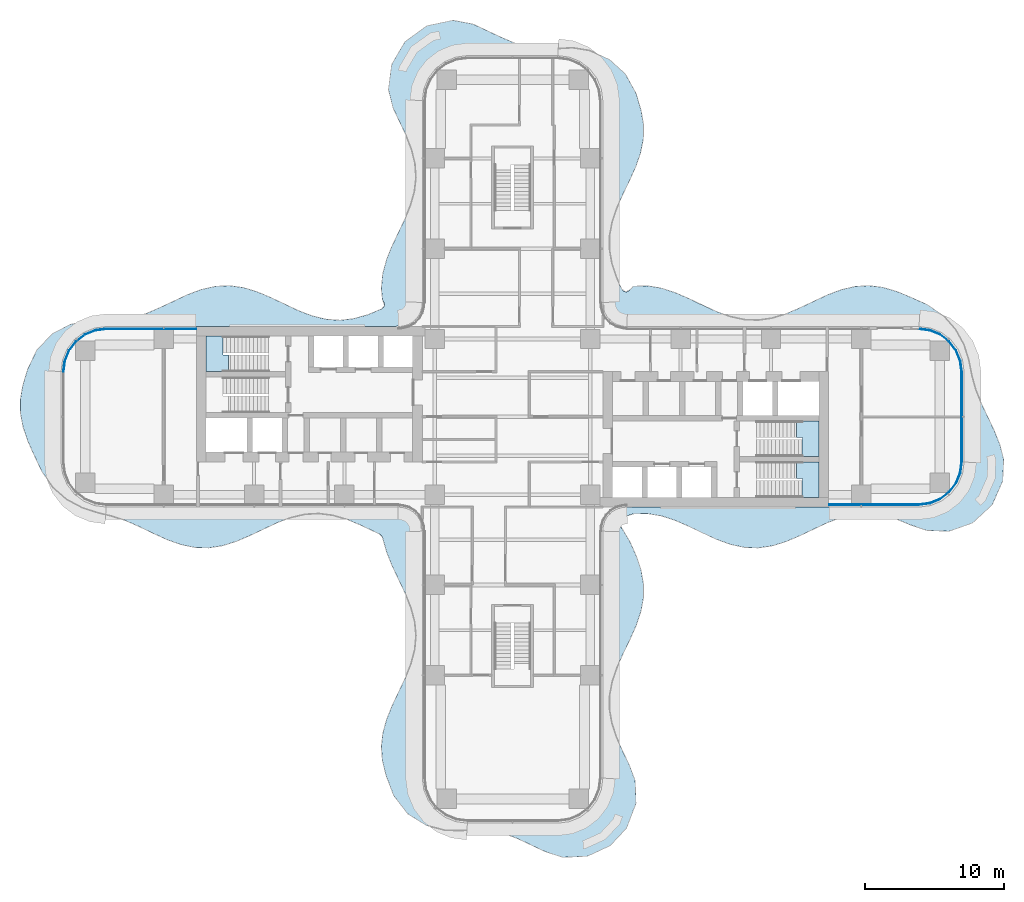
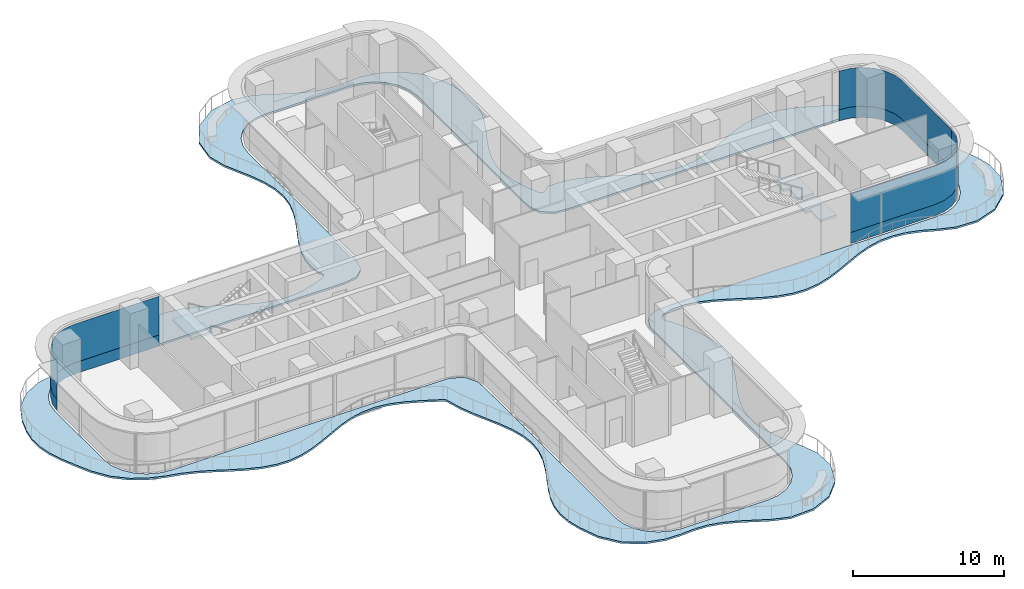
# One storey, part 15 of 22: 6 plates, 4 slabs, 6 elements without a shape of their own.
"""IFC4 building model written with IfcOpenShell, lengths in metres."""

from ifc_helpers import new_model, si_unit, direction, frame, origin, place, context, subcontext, project, spatial, polyline, outline, extrude, source, transform, mapped, material, layer, layer_set, type_object, element, aggregate, save


model = new_model("IFC4")

# Units and contexts
model_context = context("Model", 3, precision=1e-05, world=origin(), true_north=direction((0.0, 1.0)))
body_context = subcontext(model_context, "Body", "Model", "MODEL_VIEW")
ifc_project = project(units=[si_unit("LENGTHUNIT", "METRE"), si_unit("AREAUNIT", "SQUARE_METRE"), si_unit("VOLUMEUNIT", "CUBIC_METRE"), si_unit("PLANEANGLEUNIT", "RADIAN"), si_unit("MASSUNIT", "GRAM", prefix="KILO")], contexts=[model_context])

# Site, building, storey
site_placement = place(None, origin())
site = spatial("IfcSite", under=ifc_project, at=site_placement, CompositionType="ELEMENT")
building_placement = place(site_placement, origin())
building = spatial("IfcBuilding", under=site, at=building_placement, Name="Trellis Farm Tower", CompositionType="ELEMENT")
storey_placement = place(building_placement, frame((0.0, 0.0, 88.0)))
storey = spatial("IfcBuildingStorey", under=building, at=storey_placement, Name="L18", CompositionType="ELEMENT", Elevation=88.0)

# Slab
ifc_material_1 = material(Name="Concrete C40/50", Category="concrete")
ifc_layer_1 = layer(ifc_material_1, 0.14990234375)
ifc_layer_set_1 = layer_set([ifc_layer_1], Name="Balcony slab 150")
slab_type_1 = type_object("IfcSlabType", Name="Balcony slab 150", PredefinedType="FLOOR", material=ifc_layer_set_1)
slab_1_placement = place(storey_placement, frame((0.0, 0.0, -0.14990234375)))
element("IfcSlab", 1, at=slab_1_placement, inside=storey, type_object=slab_type_1, Name="Balcony slab", PredefinedType="FLOOR", context=body_context, shape_type="SweptSolid", body=[
    extrude(outline(polyline([(-9.212158203125, 8.05517578125), (-9.224365234375, 8.185791015625), (-9.236083984375, 8.2197265625), (-9.343017578125, 8.381103515625), (-9.366943359375, 8.44873046875), (-9.44677734375, 9.243896484375), (-9.447021484375, 9.27294921875), (-9.3515625, 10.27392578125), (-9.346923828125, 10.298583984375), (-9.08544921875, 11.2705078125), (-9.079833984375, 11.287353515625), (-8.69189453125, 12.25732421875), (-8.688232421875, 12.265869140625), (-7.748779296875, 14.249755859375), (-7.747314453125, 14.253662109375), (-7.346923828125, 15.235107421875), (-7.34423828125, 15.2431640625), (-7.069091796875, 16.221435546875), (-7.066650390625, 16.233154296875), (-6.955078125, 17.212646484375), (-6.954833984375, 17.226318359375), (-7.0244140625, 18.212890625), (-7.0263671875, 18.225341796875), (-7.270751953125, 19.22021484375), (-7.273681640625, 19.229248046875), (-7.668212890625, 20.2509765625), (-7.67041015625, 20.256103515625), (-8.59375, 22.2080078125), (-8.603515625, 22.2353515625), (-8.927734375, 23.513671875), (-8.931884765625, 23.541748046875), (-8.93408203125, 23.577880859375), (-8.93310546875, 23.605712890625), (-8.716064453125, 25.29833984375), (-8.709228515625, 25.32763671875), (-8.69677734375, 25.364501953125), (-8.68408203125, 25.391845703125), (-7.759521484375, 26.970703125), (-7.74072265625, 26.995849609375), (-7.713623046875, 27.025634765625), (-7.690185546875, 27.04638671875), (-6.196533203125, 28.1181640625), (-6.169677734375, 28.133544921875), (-6.133056640625, 28.149658203125), (-6.103515625, 28.1591796875), (-4.337158203125, 28.53173828125), (-4.30810546875, 28.534912109375), (-4.270751953125, 28.535400390625), (-4.2412109375, 28.532958984375), (-2.8701171875, 28.2763671875), (-2.833740234375, 28.2646484375), (-0.885498046875, 27.345703125), (-0.8828125, 27.344482421875), (0.099609375, 26.92431640625), (0.107177734375, 26.921630859375), (1.137939453125, 26.60400390625), (1.1494140625, 26.601318359375), (2.139404296875, 26.460693359375), (2.152587890625, 26.4599609375), (3.1220703125, 26.49462890625), (3.1240234375, 26.494873046875), (4.28955078125, 26.56689453125), (4.322998046875, 26.565185546875), (5.555908203125, 26.364990234375), (5.594970703125, 26.352783203125), (6.945556640625, 25.727294921875), (6.982421875, 25.702880859375), (8.089599609375, 24.713623046875), (8.12109375, 24.67431640625), (8.891357421875, 23.277587890625), (8.904052734375, 23.2470703125), (9.262451171875, 22.015625), (9.266357421875, 21.99853515625), (9.42919921875, 21.029541015625), (9.431396484375, 21.002197265625), (9.414794921875, 20.00146484375), (9.411865234375, 19.974609375), (9.21826171875, 19.0048828125), (9.212890625, 18.984619140625), (8.870849609375, 18.00830078125), (8.8662109375, 17.996337890625), (8.423583984375, 17.01171875), (8.421875, 17.008056640625), (7.940673828125, 16.010986328125), (7.939697265625, 16.0087890625), (7.49560546875, 15.006103515625), (7.4931640625, 15.0), (7.169921875, 14.050048828125), (7.167236328125, 14.039794921875), (6.982177734375, 13.0615234375), (6.980712890625, 13.04833984375), (6.971923828125, 12.0654296875), (6.972900390625, 12.052001953125), (7.14501953125, 11.060546875), (7.147705078125, 11.0498046875), (7.490478515625, 10.021484375), (7.492919921875, 10.014892578125), (7.851318359375, 9.203857421875), (7.862060546875, 9.186279296875), (7.965087890625, 9.0625), (7.998779296875, 9.039794921875), (8.1416015625, 8.99267578125), (8.181884765625, 8.990966796875), (8.328125, 9.026611328125), (8.36328125, 9.04638671875), (8.48046875, 9.166015625), (8.48583984375, 9.17236328125), (8.630859375, 9.357421875), (8.683837890625, 9.39990234375), (8.684326171875, 9.400146484375), (8.746337890625, 9.4150390625), (9.675537109375, 9.43408203125), (9.702392578125, 9.43212890625), (10.646240234375, 9.280517578125), (10.668212890625, 9.275390625), (11.668212890625, 8.955810546875), (11.68212890625, 8.950439453125), (12.664794921875, 8.524658203125), (12.67041015625, 8.522216796875), (13.663818359375, 8.043701171875), (13.665283203125, 8.04296875), (14.668701171875, 7.583984375), (14.67431640625, 7.581787109375), (15.673583984375, 7.2177734375), (15.68359375, 7.215087890625), (16.677001953125, 7.0), (16.68994140625, 6.998291015625), (17.6748046875, 6.96142578125), (17.6884765625, 6.962158203125), (18.667236328125, 7.10498046875), (18.678466796875, 7.107421875), (19.656982421875, 7.408447265625), (19.664306640625, 7.4111328125), (20.646728515625, 7.828125), (20.6494140625, 7.829345703125), (22.635498046875, 8.766357421875), (22.646240234375, 8.77099609375), (23.6337890625, 9.14501953125), (23.65234375, 9.150634765625), (24.63134765625, 9.38232421875), (24.656982421875, 9.38623046875), (25.62841796875, 9.44482421875), (25.65576171875, 9.44384765625), (26.624755859375, 9.3232421875), (26.64794921875, 9.318359375), (27.62109375, 9.035400390625), (27.63671875, 9.030029296875), (28.617431640625, 8.623779296875), (28.620849609375, 8.622314453125), (29.800048828125, 8.09814453125), (29.8232421875, 8.085205078125), (31.015380859375, 7.277099609375), (31.044189453125, 7.251708984375), (31.886474609375, 6.290771484375), (31.9052734375, 6.263916015625), (32.4833984375, 5.20751953125), (32.49462890625, 5.1806640625), (32.838134765625, 4.0947265625), (32.84228515625, 4.078369140625), (33.0556640625, 2.986083984375), (33.056884765625, 2.980712890625), (33.331787109375, 1.97900390625), (33.334716796875, 1.970947265625), (33.731201171875, 0.98974609375), (33.73291015625, 0.985595703125), (34.668212890625, -0.98828125), (34.671875, -0.99658203125), (35.07373046875, -1.99560546875), (35.079833984375, -2.013916015625), (35.340576171875, -3.021484375), (35.34521484375, -3.064697265625), (35.288330078125, -4.55908203125), (35.284423828125, -4.58740234375), (35.276123046875, -4.623291015625), (35.26708984375, -4.650146484375), (34.52099609375, -6.33251953125), (34.505126953125, -6.359619140625), (34.4814453125, -6.392333984375), (34.46044921875, -6.415771484375), (33.12548828125, -7.619873046875), (33.101806640625, -7.637451171875), (33.06884765625, -7.656982421875), (33.0419921875, -7.66943359375), (31.458740234375, -8.228515625), (31.431396484375, -8.235107421875), (31.39599609375, -8.24072265625), (31.3671875, -8.2421875), (29.837158203125, -8.181884765625), (29.794921875, -8.17431640625), (28.627197265625, -7.779541015625), (28.6181640625, -7.776123046875), (27.60546875, -7.359375), (27.597412109375, -7.356689453125), (26.600830078125, -7.072509765625), (26.58935546875, -7.0703125), (25.664794921875, -6.957275390625), (25.651611328125, -6.956787109375), (24.66552734375, -7.01318359375), (24.65283203125, -7.01513671875), (23.65869140625, -7.247802734375), (23.649169921875, -7.250732421875), (22.6494140625, -7.627685546875), (22.643798828125, -7.630126953125), (20.647216796875, -8.57177734375), (20.6416015625, -8.57421875), (19.659423828125, -8.990966796875), (19.644775390625, -8.996337890625), (18.6708984375, -9.294921875), (18.648193359375, -9.2998046875), (17.67919921875, -9.439208984375), (17.65185546875, -9.4404296875), (16.68115234375, -9.401123046875), (16.655029296875, -9.39794921875), (15.677001953125, -9.18359375), (15.657470703125, -9.177978515625), (14.67041015625, -8.81689453125), (14.65966796875, -8.8125), (13.664306640625, -8.356689453125), (13.66162109375, -8.35546875), (12.672119140625, -7.87890625), (12.66943359375, -7.87744140625), (11.6865234375, -7.451416015625), (11.6796875, -7.44873046875), (10.700927734375, -7.133056640625), (10.690185546875, -7.130615234375), (9.711669921875, -6.969482421875), (9.6982421875, -6.968505859375), (8.734619140625, -6.985107421875), (8.72314453125, -6.986328125), (8.632080078125, -7.002197265625), (8.62109375, -7.0048828125), (8.05419921875, -7.193603515625), (8.039306640625, -7.2001953125), (7.9296875, -7.26611328125), (7.906494140625, -7.2880859375), (7.835205078125, -7.39404296875), (7.82763671875, -7.40869140625), (7.757568359375, -7.588623046875), (7.7529296875, -7.606201171875), (7.73486328125, -7.745361328125), (7.73876953125, -7.780517578125), (7.78759765625, -7.912353515625), (7.795654296875, -7.928466796875), (7.9951171875, -8.22265625), (8.0, -8.230712890625), (8.465087890625, -9.01953125), (8.472900390625, -9.034912109375), (8.908935546875, -10.01904296875), (8.9140625, -10.031982421875), (9.24169921875, -11.007080078125), (9.247314453125, -11.02880859375), (9.42578125, -12.029296875), (9.427978515625, -12.056396484375), (9.422119140625, -13.02587890625), (9.419677734375, -13.052734375), (9.23779296875, -14.0224609375), (9.232421875, -14.043212890625), (8.899658203125, -15.018798828125), (8.894775390625, -15.031494140625), (8.459716796875, -16.010498046875), (8.457763671875, -16.0146484375), (7.974853515625, -17.015380859375), (7.973876953125, -17.017333984375), (7.5244140625, -18.0205078125), (7.522216796875, -18.026611328125), (7.176513671875, -19.025390625), (7.173828125, -19.03564453125), (6.983154296875, -20.028076171875), (6.98193359375, -20.041259765625), (6.97119140625, -21.02490234375), (6.97216796875, -21.03857421875), (7.139404296875, -22.016845703125), (7.14208984375, -22.027587890625), (7.46240234375, -23.006591796875), (7.465087890625, -23.01318359375), (7.89404296875, -23.99609375), (7.895263671875, -23.99853515625), (8.372314453125, -24.989013671875), (8.376953125, -25.0), (8.815185546875, -26.13671875), (8.8251953125, -26.1845703125), (8.888427734375, -27.761962890625), (8.886474609375, -27.792236328125), (8.880126953125, -27.830810546875), (8.872314453125, -27.85986328125), (8.2275390625, -29.5546875), (8.214599609375, -29.580810546875), (8.1943359375, -29.61279296875), (8.176513671875, -29.635986328125), (7.030029296875, -30.8583984375), (7.008056640625, -30.877685546875), (6.977294921875, -30.89990234375), (6.951904296875, -30.91455078125), (5.4169921875, -31.6123046875), (5.3896484375, -31.62158203125), (5.353515625, -31.630126953125), (5.324951171875, -31.634033203125), (3.64111328125, -31.706298828125), (3.6142578125, -31.704833984375), (3.57958984375, -31.7001953125), (3.55322265625, -31.694091796875), (2.37109375, -31.30615234375), (2.35400390625, -31.29931640625), (0.393310546875, -30.374755859375), (0.387451171875, -30.372314453125), (-0.635986328125, -29.989501953125), (-0.645263671875, -29.98681640625), (-1.57958984375, -29.768310546875), (-1.592041015625, -29.7666015625), (-2.585205078125, -29.705078125), (-2.594970703125, -29.705078125), (-3.683837890625, -29.779296875), (-3.697265625, -29.77978515625), (-4.857421875, -29.7548828125), (-4.89208984375, -29.750244140625), (-6.1826171875, -29.41455078125), (-6.2236328125, -29.39697265625), (-7.514892578125, -28.5966796875), (-7.537109375, -28.580078125), (-7.5625, -28.556640625), (-7.580810546875, -28.53662109375), (-8.55810546875, -27.252685546875), (-8.5791015625, -27.214599609375), (-9.115966796875, -25.7900390625), (-9.12109375, -25.772705078125), (-9.37109375, -24.74658203125), (-9.375, -24.72216796875), (-9.446533203125, -23.74951171875), (-9.44580078125, -23.7216796875), (-9.337890625, -22.753173828125), (-9.333251953125, -22.729248046875), (-9.060791015625, -21.756591796875), (-9.05517578125, -21.740478515625), (-8.65576171875, -20.760009765625), (-8.65234375, -20.75244140625), (-7.71728515625, -18.7783203125), (-7.71533203125, -18.774169921875), (-7.322509765625, -17.79296875), (-7.319580078125, -17.784423828125), (-7.044921875, -16.749755859375), (-7.04248046875, -16.7373046875), (-6.95361328125, -15.75), (-6.95361328125, -15.736083984375), (-7.04638671875, -14.756103515625), (-7.048583984375, -14.744140625), (-7.3076171875, -13.76611328125), (-7.310302734375, -13.757568359375), (-7.69970703125, -12.776611328125), (-7.701416015625, -12.772216796875), (-8.636474609375, -10.798095703125), (-8.6396484375, -10.791015625), (-9.042724609375, -9.81005859375), (-9.048095703125, -9.794189453125), (-9.366455078125, -8.680419921875), (-9.37255859375, -8.66552734375), (-9.431396484375, -8.55615234375), (-9.451904296875, -8.532470703125), (-9.55078125, -8.45703125), (-9.564208984375, -8.448974609375), (-10.90087890625, -7.813232421875), (-10.904052734375, -7.811767578125), (-11.921142578125, -7.385498046875), (-11.928955078125, -7.382568359375), (-12.92578125, -7.087890625), (-12.9375, -7.085205078125), (-13.926513671875, -6.95751953125), (-13.9404296875, -6.95703125), (-14.92138671875, -7.011474609375), (-14.93408203125, -7.01318359375), (-15.912109375, -7.239013671875), (-15.92138671875, -7.24169921875), (-16.9013671875, -7.607177734375), (-16.9072265625, -7.609619140625), (-18.880859375, -8.538818359375), (-18.885498046875, -8.541015625), (-19.868408203125, -8.964111328125), (-19.882568359375, -8.969482421875), (-20.8828125, -9.283935546875), (-20.90478515625, -9.289306640625), (-21.848388671875, -9.434814453125), (-21.875244140625, -9.436279296875), (-22.845703125, -9.41015625), (-22.872314453125, -9.406982421875), (-23.872802734375, -9.197998046875), (-23.892578125, -9.1923828125), (-24.869384765625, -8.841552734375), (-24.880615234375, -8.8369140625), (-25.865966796875, -8.389404296875), (-25.868896484375, -8.387939453125), (-26.8671875, -7.90673828125), (-26.86962890625, -7.905517578125), (-27.84130859375, -7.47900390625), (-27.847900390625, -7.476318359375), (-28.840087890625, -7.146728515625), (-28.84619140625, -7.14501953125), (-29.921875, -6.88330078125), (-29.93359375, -6.880126953125), (-30.982177734375, -6.533935546875), (-31.00537109375, -6.524169921875), (-32.064453125, -5.964111328125), (-32.09228515625, -5.945068359375), (-33.05908203125, -5.110595703125), (-33.084228515625, -5.08251953125), (-33.880859375, -3.931884765625), (-33.893310546875, -3.910400390625), (-34.439208984375, -2.754638671875), (-34.440673828125, -2.751708984375), (-34.885986328125, -1.75341796875), (-34.89111328125, -1.74072265625), (-35.22900390625, -0.75537109375), (-35.234619140625, -0.734619140625), (-35.4189453125, 0.2421875), (-35.421630859375, 0.268798828125), (-35.428466796875, 1.23876953125), (-35.42626953125, 1.265625), (-35.25732421875, 2.23486328125), (-35.253662109375, 2.251220703125), (-34.921875, 3.380615234375), (-34.913330078125, 3.403076171875), (-34.25341796875, 4.787109375), (-34.2265625, 4.826171875), (-33.139404296875, 5.96484375), (-33.10009765625, 5.994384765625), (-31.84912109375, 6.642822265625), (-31.8134765625, 6.656005859375), (-30.60107421875, 6.931884765625), (-30.572509765625, 6.935546875), (-29.42578125, 6.97216796875), (-29.41943359375, 6.97216796875), (-28.412353515625, 6.961181640625), (-28.400146484375, 6.9619140625), (-27.360595703125, 7.121826171875), (-27.349365234375, 7.12451171875), (-26.370849609375, 7.435302734375), (-26.36376953125, 7.437744140625), (-25.380859375, 7.861083984375), (-25.378662109375, 7.862060546875), (-23.391845703125, 8.796875), (-23.380126953125, 8.802001953125), (-22.393310546875, 9.1669921875), (-22.374267578125, 9.172607421875), (-21.395751953125, 9.39306640625), (-21.369873046875, 9.396484375), (-20.39892578125, 9.442138671875), (-20.37158203125, 9.44091796875), (-19.402587890625, 9.307861328125), (-19.379638671875, 9.302978515625), (-18.406005859375, 9.009521484375), (-18.39111328125, 9.004150390625), (-17.4091796875, 8.590576171875), (-17.4033203125, 8.587890625), (-15.429443359375, 7.655029296875), (-15.42431640625, 7.65283203125), (-14.444091796875, 7.275390625), (-14.434814453125, 7.2724609375), (-13.3984375, 7.0205078125), (-13.385498046875, 7.018798828125), (-12.3994140625, 6.95556640625), (-12.385986328125, 6.9560546875), (-11.4619140625, 7.06298828125), (-11.4501953125, 7.065185546875), (-10.416748046875, 7.356689453125), (-10.408447265625, 7.359619140625), (-9.414306640625, 7.77001953125), (-9.395263671875, 7.781494140625), (-9.288818359375, 7.8701171875), (-9.267822265625, 7.898681640625), (-9.217529296875, 8.02001953125), (-9.212158203125, 8.05517578125)]), holes=[polyline([(-7.872314453125, -6.550048828125), (-7.106689453125, -6.919921875), (-7.0693359375, -6.94580078125), (-7.0283203125, -6.984130859375), (-7.00048828125, -7.019775390625), (-6.58544921875, -7.75439453125), (-6.572265625, -7.785888671875), (-6.559814453125, -7.827880859375), (-6.55419921875, -7.861572265625), (-6.50048828125, -8.790771484375), (-6.50048828125, -26.0), (-6.389892578125, -26.84130859375), (-6.065185546875, -27.625244140625), (-5.548583984375, -28.298583984375), (-4.875244140625, -28.815185546875), (-4.09130859375, -29.139892578125), (-3.25, -29.25048828125), (3.25, -29.25048828125), (4.09130859375, -29.139892578125), (4.875244140625, -28.815185546875), (5.548583984375, -28.298583984375), (6.065185546875, -27.625244140625), (6.389892578125, -26.84130859375), (6.50048828125, -26.0), (6.50048828125, -8.989501953125), (6.511962890625, -8.083984375), (6.514892578125, -8.057373046875), (6.521484375, -8.023193359375), (6.52880859375, -7.997314453125), (6.840087890625, -7.19580078125), (6.863525390625, -7.155517578125), (6.899658203125, -7.111083984375), (6.934326171875, -7.079833984375), (7.63720703125, -6.621826171875), (7.670166015625, -6.605712890625), (7.714111328125, -6.590576171875), (7.749755859375, -6.5830078125), (8.677490234375, -6.50048828125), (29.25, -6.50048828125), (30.09130859375, -6.389892578125), (30.875244140625, -6.065185546875), (31.548583984375, -5.548583984375), (32.065185546875, -4.875244140625), (32.389892578125, -4.09130859375), (32.50048828125, -3.25), (32.50048828125, 3.25), (32.389892578125, 4.09130859375), (32.065185546875, 4.875244140625), (31.548583984375, 5.548583984375), (30.875244140625, 6.065185546875), (30.09130859375, 6.389892578125), (29.25, 6.50048828125), (8.677490234375, 6.50048828125), (7.749755859375, 6.5830078125), (7.714111328125, 6.590576171875), (7.670166015625, 6.605712890625), (7.63720703125, 6.621826171875), (6.934326171875, 7.079833984375), (6.899658203125, 7.111083984375), (6.863525390625, 7.155517578125), (6.840087890625, 7.19580078125), (6.52880859375, 7.997314453125), (6.521484375, 8.023193359375), (6.514892578125, 8.057373046875), (6.511962890625, 8.083984375), (6.50048828125, 8.989501953125), (6.50048828125, 22.75), (6.389892578125, 23.59130859375), (6.065185546875, 24.375244140625), (5.548583984375, 25.048583984375), (4.875244140625, 25.565185546875), (4.09130859375, 25.889892578125), (3.25, 26.00048828125), (-3.25, 26.00048828125), (-4.09130859375, 25.889892578125), (-4.875244140625, 25.565185546875), (-5.548583984375, 25.048583984375), (-6.065185546875, 24.375244140625), (-6.389892578125, 23.59130859375), (-6.50048828125, 22.75), (-6.50048828125, 8.313720703125), (-6.50439453125, 8.282470703125), (-6.724365234375, 7.396484375), (-6.7412109375, 7.355712890625), (-6.768798828125, 7.309814453125), (-6.7958984375, 7.276123046875), (-7.408935546875, 6.71240234375), (-7.444580078125, 6.68798828125), (-7.492919921875, 6.66455078125), (-7.534423828125, 6.651123046875), (-8.439208984375, 6.501953125), (-8.456298828125, 6.50048828125), (-29.25, 6.50048828125), (-30.09130859375, 6.389892578125), (-30.875244140625, 6.065185546875), (-31.548583984375, 5.548583984375), (-32.065185546875, 4.875244140625), (-32.389892578125, 4.09130859375), (-32.50048828125, 3.25), (-32.50048828125, -3.25), (-32.389892578125, -4.09130859375), (-32.065185546875, -4.875244140625), (-31.548583984375, -5.548583984375), (-30.875244140625, -6.065185546875), (-30.09130859375, -6.389892578125), (-29.25, -6.50048828125), (-8.89599609375, -6.50048828125), (-7.973388671875, -6.525390625), (-7.94189453125, -6.52978515625), (-7.90234375, -6.539306640625), (-7.872314453125, -6.550048828125)])]), origin(), (0.0, 0.0, 1.0), 0.14990234375),
])

# Curtain wall, plate
ifc_material_2 = material(Name="Aluminium and glass curtain wall", Category="aluminium")
ifc_layer_2 = layer(ifc_material_2, 0.18994140625)
ifc_layer_set_2 = layer_set([ifc_layer_2], Name="RIBBON CURTAIN WALL CW1")
curtain_wall_type = type_object("IfcCurtainWallType", Name="RIBBON CURTAIN WALL CW1", PredefinedType="NOTDEFINED", material=ifc_layer_set_2)
placement_1 = place(storey_placement, origin())
curtain_wall_1 = element("IfcCurtainWall", 2, at=placement_1, inside=storey, type_object=curtain_wall_type, Name="CW1 005", PredefinedType="NOTDEFINED")
ifc_material_3 = material(Name="Clear insulated glass", Category="glass")
ifc_layer_3 = layer(ifc_material_3, 0.0400390625)
ifc_layer_set_3 = layer_set([ifc_layer_3], Name="CW1 GLASS PANEL 40")
plate_type_1 = type_object("IfcPlateType", Name="CW1 GLASS PANEL 40", PredefinedType="CURTAIN_PANEL", material=ifc_layer_set_3)
placement_2 = place(storey_placement, frame((0.0, 0.0, 0.89990234375)))
plate_1 = element("IfcPlate", 3, at=placement_2, type_object=plate_type_1, Name="PL1 005", PredefinedType="CURTAIN_PANEL", context=body_context, shape_type="SweptSolid", body=[
    extrude(outline(polyline([(22.780029296875, -6.35009765625), (29.240234375, -6.35009765625), (30.052001953125, -6.2431640625), (30.79931640625, -5.93359375), (31.441162109375, -5.441162109375), (31.93359375, -4.79931640625), (32.2431640625, -4.052001953125), (32.35009765625, -3.240234375), (32.31005859375, -3.237548828125), (32.2041015625, -4.04150390625), (31.898681640625, -4.779296875), (31.41259765625, -5.41259765625), (30.779296875, -5.898681640625), (30.04150390625, -6.2041015625), (29.237548828125, -6.31005859375), (22.780029296875, -6.31005859375), (22.780029296875, -6.35009765625)])), origin(), (0.0, 0.0, 1.0), 3.1201171875),
])

curtain_wall_2 = element("IfcCurtainWall", 4, at=placement_1, inside=storey, type_object=curtain_wall_type, Name="CW1 006", PredefinedType="NOTDEFINED")
plate_2 = element("IfcPlate", 5, at=placement_2, type_object=plate_type_1, Name="PL1 006", PredefinedType="CURTAIN_PANEL", context=body_context, shape_type="SweptSolid", body=[
    extrude(outline(polyline([(32.35009765625, -3.240234375), (32.35009765625, 3.240234375), (32.2431640625, 4.052001953125), (31.93359375, 4.79931640625), (31.441162109375, 5.441162109375), (30.79931640625, 5.93359375), (30.052001953125, 6.2431640625), (29.240234375, 6.35009765625), (29.237548828125, 6.31005859375), (30.04150390625, 6.2041015625), (30.779296875, 5.898681640625), (31.41259765625, 5.41259765625), (31.898681640625, 4.779296875), (32.2041015625, 4.04150390625), (32.31005859375, 3.237548828125), (32.31005859375, -3.237548828125), (32.35009765625, -3.240234375)])), origin(), (0.0, 0.0, 1.0), 3.1201171875),
])

curtain_wall_3 = element("IfcCurtainWall", 6, at=placement_1, inside=storey, type_object=curtain_wall_type, Name="CW1 012", PredefinedType="NOTDEFINED")
plate_3 = element("IfcPlate", 7, at=placement_2, type_object=plate_type_1, Name="PL1 012", PredefinedType="CURTAIN_PANEL", context=body_context, shape_type="SweptSolid", body=[
    extrude(outline(polyline([(-22.780029296875, 6.35009765625), (-29.240234375, 6.35009765625), (-30.052001953125, 6.2431640625), (-30.79931640625, 5.93359375), (-31.441162109375, 5.441162109375), (-31.93359375, 4.79931640625), (-32.2431640625, 4.052001953125), (-32.35009765625, 3.240234375), (-32.31005859375, 3.237548828125), (-32.2041015625, 4.04150390625), (-31.898681640625, 4.779296875), (-31.41259765625, 5.41259765625), (-30.779296875, 5.898681640625), (-30.04150390625, 6.2041015625), (-29.237548828125, 6.31005859375), (-22.780029296875, 6.31005859375), (-22.780029296875, 6.35009765625)])), origin(), (0.0, 0.0, 1.0), 3.1201171875),
])

# Stair, slab
ifc_material_4 = material(Name="Concrete C50/60", Category="concrete")
stair_type = type_object("IfcStairType", Name="CORE EXIT STAIR 26 RISERS 173 MM", PredefinedType="HALF_TURN_STAIR", material=ifc_material_4)
stair_1 = element("IfcStair", 8, at=placement_1, inside=storey, type_object=stair_type, Name="Exit stair E1", PredefinedType="HALF_TURN_STAIR")
ifc_layer_4 = layer(ifc_material_4, 0.18994140625)
ifc_layer_set_4 = layer_set([ifc_layer_4], Name="CORE STAIR LANDING 190 CONCRETE C50/60")
slab_type_2 = type_object("IfcSlabType", Name="CORE STAIR LANDING 190 CONCRETE C50/60", PredefinedType="LANDING", material=ifc_layer_set_4)
shared_shape_1 = source(origin(), body_context, "Body", "SweptSolid", [
    extrude(outline(polyline([(20.840087890625, -5.800048828125), (20.840087890625, -4.60009765625), (20.85009765625, -4.60009765625), (20.85009765625, -4.449951171875), (20.453125, -4.449951171875), (20.453125, -3.25), (20.85009765625, -3.25), (22.050048828125, -3.25), (22.050048828125, -5.800048828125), (20.85009765625, -5.800048828125), (20.840087890625, -5.800048828125)])), origin(), (0.0, 0.0, 1.0), 0.18994140625),
])
placement_3 = place(storey_placement, frame((0.0, 0.0, 2.06005859375)))
slab_2 = element("IfcSlab", 9, at=placement_3, type_object=slab_type_2, Name="STE1 landing 1", PredefinedType="LANDING", context=body_context, shape_type="MappedRepresentation", body=[
    mapped(shared_shape_1, transform((0.0, 0.0, 0.0))),
])
aggregate(stair_1, [slab_2])

stair_2 = element("IfcStair", 10, at=placement_1, inside=storey, type_object=stair_type, Name="Exit stair E2", PredefinedType="HALF_TURN_STAIR")
shared_shape_2 = source(origin(), body_context, "Body", "SweptSolid", [
    extrude(outline(polyline([(20.840087890625, -2.85009765625), (20.840087890625, -1.64990234375), (20.85009765625, -1.64990234375), (20.85009765625, -1.5), (20.453125, -1.5), (20.453125, -0.300048828125), (20.85009765625, -0.300048828125), (22.050048828125, -0.300048828125), (22.050048828125, -2.85009765625), (20.85009765625, -2.85009765625), (20.840087890625, -2.85009765625)])), origin(), (0.0, 0.0, 1.0), 0.18994140625),
])
slab_3 = element("IfcSlab", 11, at=placement_3, type_object=slab_type_2, Name="STE2 landing 1", PredefinedType="LANDING", context=body_context, shape_type="MappedRepresentation", body=[
    mapped(shared_shape_2, transform((0.0, 0.0, 0.0))),
])
aggregate(stair_2, [slab_3])

stair_3 = element("IfcStair", 12, at=placement_1, inside=storey, type_object=stair_type, Name="Exit stair W1", PredefinedType="HALF_TURN_STAIR")
shared_shape_3 = source(origin(), body_context, "Body", "SweptSolid", [
    extrude(outline(polyline([(-20.453125, 4.449951171875), (-20.453125, 3.25), (-20.85009765625, 3.25), (-22.050048828125, 3.25), (-22.050048828125, 5.800048828125), (-20.85009765625, 5.800048828125), (-20.840087890625, 5.800048828125), (-20.840087890625, 4.60009765625), (-20.85009765625, 4.60009765625), (-20.85009765625, 4.449951171875), (-20.453125, 4.449951171875)])), origin(), (0.0, 0.0, 1.0), 0.18994140625),
])
slab_4 = element("IfcSlab", 13, at=placement_3, type_object=slab_type_2, Name="STW1 landing 1", PredefinedType="LANDING", context=body_context, shape_type="MappedRepresentation", body=[
    mapped(shared_shape_3, transform((0.0, 0.0, 0.0))),
])
aggregate(stair_3, [slab_4])

# Plate
ifc_material_5 = material(Name="Sandstone faced insulated panel", Category="masonry")
ifc_layer_5 = layer(ifc_material_5, 0.050048828125)
ifc_layer_set_5 = layer_set([ifc_layer_5], Name="CW1 STONE SPANDREL PANEL 50")
plate_type_2 = type_object("IfcPlateType", Name="CW1 STONE SPANDREL PANEL 50", PredefinedType="CURTAIN_PANEL", material=ifc_layer_set_5)
shared_shape_4 = source(origin(), body_context, "Body", "SweptSolid", [
    extrude(outline(polyline([(22.780029296875, -6.35009765625), (29.240234375, -6.35009765625), (30.052001953125, -6.2431640625), (30.79931640625, -5.93359375), (31.441162109375, -5.441162109375), (31.93359375, -4.79931640625), (32.2431640625, -4.052001953125), (32.35009765625, -3.240234375), (32.300048828125, -3.23681640625), (32.1943359375, -4.0390625), (31.889892578125, -4.774169921875), (31.405517578125, -5.405517578125), (30.774169921875, -5.889892578125), (30.0390625, -6.1943359375), (29.23681640625, -6.300048828125), (22.780029296875, -6.300048828125), (22.780029296875, -6.35009765625)])), origin(), (0.0, 0.0, 1.0), 0.89990234375),
])
plate_4 = element("IfcPlate", 14, at=placement_1, type_object=plate_type_2, Name="PS1 005", PredefinedType="CURTAIN_PANEL", context=body_context, shape_type="MappedRepresentation", body=[
    mapped(shared_shape_4, transform((0.0, 0.0, 0.0))),
])

aggregate(curtain_wall_1, [plate_1, plate_4])

shared_shape_5 = source(origin(), body_context, "Body", "SweptSolid", [
    extrude(outline(polyline([(-22.780029296875, 6.35009765625), (-29.240234375, 6.35009765625), (-30.052001953125, 6.2431640625), (-30.79931640625, 5.93359375), (-31.441162109375, 5.441162109375), (-31.93359375, 4.79931640625), (-32.2431640625, 4.052001953125), (-32.35009765625, 3.240234375), (-32.300048828125, 3.23681640625), (-32.1943359375, 4.0390625), (-31.889892578125, 4.774169921875), (-31.405517578125, 5.405517578125), (-30.774169921875, 5.889892578125), (-30.0390625, 6.1943359375), (-29.23681640625, 6.300048828125), (-22.780029296875, 6.300048828125), (-22.780029296875, 6.35009765625)])), origin(), (0.0, 0.0, 1.0), 0.89990234375),
])
plate_5 = element("IfcPlate", 15, at=placement_1, type_object=plate_type_2, Name="PS1 012", PredefinedType="CURTAIN_PANEL", context=body_context, shape_type="MappedRepresentation", body=[
    mapped(shared_shape_5, transform((0.0, 0.0, 0.0))),
])

aggregate(curtain_wall_3, [plate_3, plate_5])

shared_shape_6 = source(origin(), body_context, "Body", "SweptSolid", [
    extrude(outline(polyline([(32.35009765625, -3.240234375), (32.35009765625, 3.240234375), (32.2431640625, 4.052001953125), (31.93359375, 4.79931640625), (31.441162109375, 5.441162109375), (30.79931640625, 5.93359375), (30.052001953125, 6.2431640625), (29.240234375, 6.35009765625), (29.23681640625, 6.300048828125), (30.0390625, 6.1943359375), (30.774169921875, 5.889892578125), (31.405517578125, 5.405517578125), (31.889892578125, 4.774169921875), (32.1943359375, 4.0390625), (32.300048828125, 3.23681640625), (32.300048828125, -3.23681640625), (32.35009765625, -3.240234375)])), origin(), (0.0, 0.0, 1.0), 0.89990234375),
])
plate_6 = element("IfcPlate", 16, at=placement_1, type_object=plate_type_2, Name="PS1 006", PredefinedType="CURTAIN_PANEL", context=body_context, shape_type="MappedRepresentation", body=[
    mapped(shared_shape_6, transform((0.0, 0.0, 0.0))),
])

aggregate(curtain_wall_2, [plate_2, plate_6])

save(model, "model.ifc")
